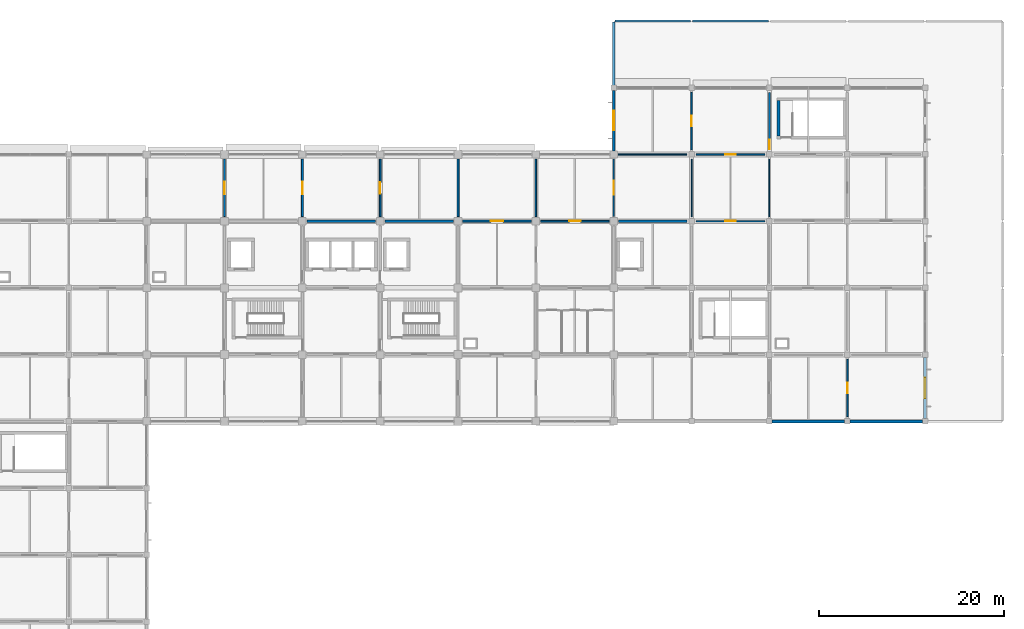
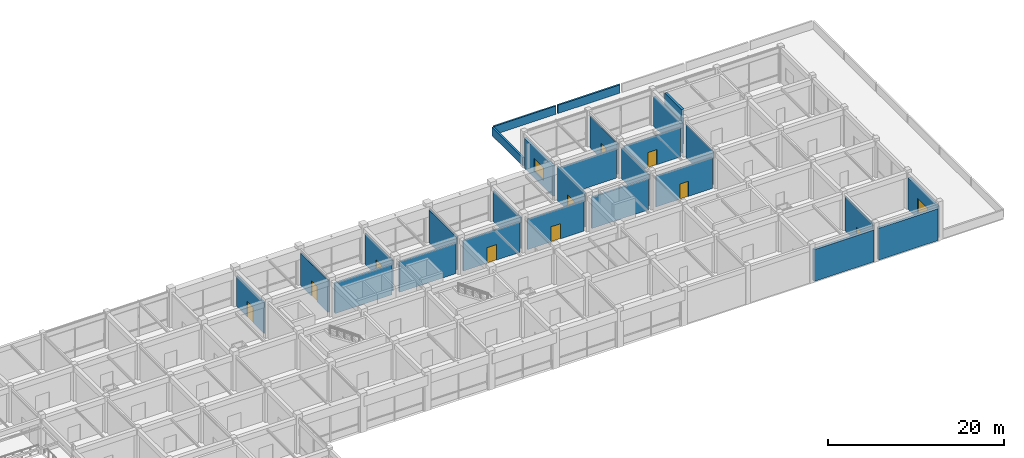
# One storey, part 30 of 38: 27 walls, 11 doors, 2 windows, 13 openings.
"""IFC4 building model written with IfcOpenShell, lengths in metres."""

from ifc_helpers import new_model, si_unit, derived_unit, direction, frame, frame_2d, origin, place, context, subcontext, project, spatial, rectangle, extrude, material, layer, layer_set, type_object, element, fill, save


model = new_model("IFC4")

# Units and contexts
model_context = context("Model", 3, precision=1e-05, world=origin(), true_north=direction((0.0, 1.0)))
body_context = subcontext(model_context, "Body", "Model", "MODEL_VIEW")
ifc_project = project(units=[si_unit("LENGTHUNIT", "METRE"), si_unit("AREAUNIT", "SQUARE_METRE"), si_unit("VOLUMEUNIT", "CUBIC_METRE"), si_unit("PLANEANGLEUNIT", "RADIAN"), si_unit("MASSUNIT", "GRAM", prefix="KILO"), derived_unit("THERMALTRANSMITTANCEUNIT", [(si_unit("MASSUNIT", "GRAM", prefix="KILO"), 1), (si_unit("TIMEUNIT", "SECOND"), -3), (si_unit("THERMODYNAMICTEMPERATUREUNIT", "KELVIN"), -1)])], contexts=[model_context])

# Site, building, storey
site_placement = place(None, origin())
site = spatial("IfcSite", under=ifc_project, at=site_placement, CompositionType="ELEMENT")
building_placement = place(site_placement, origin())
building = spatial("IfcBuilding", under=site, at=building_placement, Name="Veldstrom Oceanarium and Marine Research Institute", CompositionType="ELEMENT")
storey_placement = place(building_placement, frame((0.0, 0.0, 16.800048828125)))
storey = spatial("IfcBuildingStorey", under=building, at=storey_placement, Name="L03", CompositionType="ELEMENT", Elevation=16.800048828125)

# Wall, opening, window
ifc_material_1 = material(Name="Masonry Cavity Wall", Category="masonry")
ifc_layer_1 = layer(ifc_material_1, 0.31005859375)
ifc_layer_set_1 = layer_set([ifc_layer_1], Name="ARC-WAL-EW1")
wall_type_1 = type_object("IfcWallType", Name="ARC-WAL-EW1", PredefinedType="SOLIDWALL", material=ifc_layer_set_1)
wall_1_placement = place(storey_placement, frame((151.199951171875, 43.5, 0.0), z_axis=(0.0, 0.0, 1.0), x_axis=(0.0, 1.0, 0.0)))
wall_1 = element("IfcWall", 1, at=wall_1_placement, inside=storey, type_object=wall_type_1, Name="Exterior Facade Wall EW1 L03-165", PredefinedType="SOLIDWALL", context=body_context, shape_type="SweptSolid", body=[
    extrude(rectangle(XDim=6.60009765625, YDim=0.31005859375, at=frame_2d((3.300048828125, 0.0))), origin(), (0.0, 0.0, 1.0), 4.39501953125),
])
opening_1_placement = place(wall_1_placement, frame((2.175048828125, 0.0, 0.89990234375)))
opening_1 = element("IfcOpeningElement", 2, at=opening_1_placement, cuts=wall_1, Name="Opening W21", PredefinedType="OPENING", context=body_context, shape_type="SweptSolid", body=[
    extrude(rectangle(XDim=2.25, YDim=1.949951171875, at=frame_2d((1.125, 0.97509765625))), frame((0.0, 0.1650390625, 0.0), z_axis=(0.0, -1.0, 0.0), x_axis=(1.0, 0.0, 0.0)), (0.0, 0.0, 1.0), 0.330078125),
])
ifc_material_2 = material(Name="Double Glazed Low-E IGU", Category="glass")
window_type_1 = type_object("IfcWindowType", Name="ARC-WIN-W21", PartitioningType="SINGLE_PANEL", PredefinedType="WINDOW", material=ifc_material_2)
window_1_placement = place(opening_1_placement, origin())
window_1 = element("IfcWindow", 3, at=window_1_placement, inside=storey, type_object=window_type_1, Name="Facade Window W21 L03-0119", OverallHeight=1.949951171875, OverallWidth=2.25, PartitioningType="SINGLE_PANEL", PredefinedType="WINDOW", context=body_context, shape_type="SweptSolid", body=[
    extrude(rectangle(XDim=2.25, YDim=1.949951171875, at=frame_2d((1.125, 0.97509765625))), frame((0.0, 0.030029296875, 0.0), z_axis=(0.0, -1.0, 0.0), x_axis=(1.0, 0.0, 0.0)), (0.0, 0.0, 1.0), 0.06005859375),
])
fill(opening_1, window_1)

ifc_material_3 = material(Name="Masonry Cavity Wall", Category="masonry")
ifc_layer_2 = layer(ifc_material_3, 0.2900390625)
ifc_layer_set_2 = layer_set([ifc_layer_2], Name="ARC-WAL-EW2")
wall_type_2 = type_object("IfcWallType", Name="ARC-WAL-EW2", PredefinedType="SOLIDWALL", material=ifc_layer_set_2)
wall_2_placement = place(storey_placement, frame((117.60009765625, 72.39990234375, 0.0), z_axis=(0.0, 0.0, 1.0), x_axis=(0.0, 1.0, 0.0)))
wall_2 = element("IfcWall", 4, at=wall_2_placement, inside=storey, type_object=wall_type_2, Name="Exterior Facade Wall EW2 L03-161", PredefinedType="SOLIDWALL", context=body_context, shape_type="SweptSolid", body=[
    extrude(rectangle(XDim=6.5, YDim=0.2900390625, at=frame_2d((3.25, 0.0))), origin(), (0.0, 0.0, 1.0), 4.169921875),
])
opening_2_placement = place(wall_2_placement, frame((2.199951171875, 0.0, 0.89990234375)))
opening_2 = element("IfcOpeningElement", 5, at=opening_2_placement, cuts=wall_2, Name="Opening W02", PredefinedType="OPENING", context=body_context, shape_type="SweptSolid", body=[
    extrude(rectangle(XDim=2.10009765625, YDim=1.800048828125, at=frame_2d((1.050048828125, 0.89990234375))), frame((0.0, 0.155029296875, 0.0), z_axis=(0.0, -1.0, 0.0), x_axis=(1.0, 0.0, 0.0)), (0.0, 0.0, 1.0), 0.31005859375),
])
ifc_material_4 = material(Name="Double Glazed Low-E IGU", Category="glass")
window_type_2 = type_object("IfcWindowType", Name="ARC-WIN-W02", PartitioningType="SINGLE_PANEL", PredefinedType="WINDOW", material=ifc_material_4)
window_2_placement = place(opening_2_placement, origin())
window_2 = element("IfcWindow", 6, at=window_2_placement, inside=storey, type_object=window_type_2, Name="Facade Window W02 L03-0118", OverallHeight=1.800048828125, OverallWidth=2.10009765625, PartitioningType="SINGLE_PANEL", PredefinedType="WINDOW", context=body_context, shape_type="SweptSolid", body=[
    extrude(rectangle(XDim=2.10009765625, YDim=1.800048828125, at=frame_2d((1.050048828125, 0.89990234375))), frame((0.0, 0.030029296875, 0.0), z_axis=(0.0, -1.0, 0.0), x_axis=(1.0, 0.0, 0.0)), (0.0, 0.0, 1.0), 0.06005859375),
])
fill(opening_2, window_2)

# Walls
ifc_material_5 = material(Name="Masonry Cavity Wall", Category="masonry")
ifc_layer_3 = layer(ifc_material_5, 0.340087890625)
ifc_layer_set_3 = layer_set([ifc_layer_3], Name="ARC-WAL-EW4")
wall_type_3 = type_object("IfcWallType", Name="ARC-WAL-EW4", PredefinedType="SOLIDWALL", material=ifc_layer_set_3)
wall_3_placement = place(storey_placement, frame((134.699951171875, 43.199951171875, 0.0), z_axis=(0.0, 0.0, 1.0), x_axis=(1.0, 0.0, 0.0)))
element("IfcWall", 7, at=wall_3_placement, inside=storey, type_object=wall_type_3, Name="Exterior Facade Wall EW4 L03-163", PredefinedType="SOLIDWALL", context=body_context, shape_type="SweptSolid", body=[
    extrude(rectangle(XDim=7.800048828125, YDim=0.340087890625, at=frame_2d((3.89990234375, 0.0))), origin(), (0.0, 0.0, 1.0), 4.39501953125),
])
wall_4_placement = place(storey_placement, frame((143.10009765625, 43.199951171875, 0.0), z_axis=(0.0, 0.0, 1.0), x_axis=(1.0, 0.0, 0.0)))
element("IfcWall", 8, at=wall_4_placement, inside=storey, type_object=wall_type_3, Name="Exterior Facade Wall EW4 L03-164", PredefinedType="SOLIDWALL", context=body_context, shape_type="SweptSolid", body=[
    extrude(rectangle(XDim=7.7998046875, YDim=0.340087890625, at=frame_2d((3.89990234375, 0.0))), origin(), (0.0, 0.0, 1.0), 4.39501953125),
])
ifc_material_6 = material(Name="Masonry Cavity Wall", Category="masonry")
ifc_layer_4 = layer(ifc_material_6, 0.219970703125)
ifc_layer_set_4 = layer_set([ifc_layer_4], Name="ARC-WAL-PR1")
wall_type_4 = type_object("IfcWallType", Name="ARC-WAL-PR1", PredefinedType="PARAPET", material=ifc_layer_set_4)
wall_5_placement = place(storey_placement, frame((117.719970703125, 86.39990234375, 0.0), z_axis=(0.0, 0.0, 1.0), x_axis=(1.0, 0.0, 0.0)))
element("IfcWall", 9, at=wall_5_placement, inside=storey, type_object=wall_type_4, Name="Roof Parapet Wall L02-056", PredefinedType="PARAPET", context=body_context, shape_type="SweptSolid", body=[
    extrude(rectangle(XDim=8.159912109375, YDim=0.219970703125, at=frame_2d((4.080078125, 0.0))), origin(), (0.0, 0.0, 1.0), 1.14990234375),
])
wall_6_placement = place(storey_placement, frame((117.60009765625, 79.320068359375, 0.0), z_axis=(0.0, 0.0, 1.0), x_axis=(0.0, 1.0, 0.0)))
element("IfcWall", 10, at=wall_6_placement, inside=storey, type_object=wall_type_4, Name="Roof Parapet Wall L02-057", PredefinedType="PARAPET", context=body_context, shape_type="SweptSolid", body=[
    extrude(rectangle(XDim=6.9599609375, YDim=0.219970703125, at=frame_2d((3.47998046875, 0.0))), origin(), (0.0, 0.0, 1.0), 1.14990234375),
])
wall_7_placement = place(storey_placement, frame((126.1201171875, 86.39990234375, 0.0), z_axis=(0.0, 0.0, 1.0), x_axis=(1.0, 0.0, 0.0)))
element("IfcWall", 11, at=wall_7_placement, inside=storey, type_object=wall_type_4, Name="Roof Parapet Wall L02-058", PredefinedType="PARAPET", context=body_context, shape_type="SweptSolid", body=[
    extrude(rectangle(XDim=8.159912109375, YDim=0.219970703125, at=frame_2d((4.080078125, 0.0))), origin(), (0.0, 0.0, 1.0), 1.14990234375),
])
ifc_material_7 = material(Name="Masonry Fire Compartment Wall", Category="masonry")
ifc_layer_5 = layer(ifc_material_7, 0.22998046875)
ifc_layer_set_5 = layer_set([ifc_layer_5], Name="ARC-WAL-PT1")
wall_type_5 = type_object("IfcWallType", Name="ARC-WAL-PT1", PredefinedType="PARTITIONING", material=ifc_layer_set_5)
wall_8_placement = place(storey_placement, frame((84.5, 64.800048828125, 0.0), z_axis=(0.0, 0.0, 1.0), x_axis=(1.0, 0.0, 0.0)))
element("IfcWall", 12, at=wall_8_placement, inside=storey, type_object=wall_type_5, Name="Interior Partition PT1 L03-1343", PredefinedType="PARTITIONING", context=body_context, shape_type="SweptSolid", body=[
    extrude(rectangle(XDim=7.39990234375, YDim=0.22998046875, at=frame_2d((3.699951171875, 0.0))), origin(), (0.0, 0.0, 1.0), 4.195068359375),
])
wall_9_placement = place(storey_placement, frame((92.89990234375, 64.800048828125, 0.0), z_axis=(0.0, 0.0, 1.0), x_axis=(1.0, 0.0, 0.0)))
element("IfcWall", 13, at=wall_9_placement, inside=storey, type_object=wall_type_5, Name="Interior Partition PT1 L03-1350", PredefinedType="PARTITIONING", context=body_context, shape_type="SweptSolid", body=[
    extrude(rectangle(XDim=7.400146484375, YDim=0.22998046875, at=frame_2d((3.7001953125, 0.0))), origin(), (0.0, 0.0, 1.0), 4.195068359375),
])
wall_10_placement = place(storey_placement, frame((118.10009765625, 64.800048828125, 0.0), z_axis=(0.0, 0.0, 1.0), x_axis=(1.0, 0.0, 0.0)))
element("IfcWall", 14, at=wall_10_placement, inside=storey, type_object=wall_type_5, Name="Interior Partition PT1 L03-1371", PredefinedType="PARTITIONING", context=body_context, shape_type="SweptSolid", body=[
    extrude(rectangle(XDim=7.39990234375, YDim=0.22998046875, at=frame_2d((3.699951171875, 0.0))), origin(), (0.0, 0.0, 1.0), 4.294921875),
])

# Wall, opening, door
wall_11_placement = place(storey_placement, frame((134.39990234375, 72.5, 0.0), z_axis=(0.0, 0.0, 1.0), x_axis=(0.0, 1.0, 0.0)))
wall_11 = element("IfcWall", 15, at=wall_11_placement, inside=storey, type_object=wall_type_5, Name="Interior Partition PT1 L03-1383", PredefinedType="PARTITIONING", context=body_context, shape_type="SweptSolid", body=[
    extrude(rectangle(XDim=6.199951171875, YDim=0.22998046875, at=frame_2d((3.10009765625, 0.0))), origin(), (0.0, 0.0, 1.0), 4.119873046875),
])
opening_3_placement = place(wall_11_placement, frame((0.050048828125, 0.0, 0.0)))
opening_3 = element("IfcOpeningElement", 16, at=opening_3_placement, cuts=wall_11, Name="Opening D-L03-814", PredefinedType="OPENING", context=body_context, shape_type="SweptSolid", body=[
    extrude(rectangle(XDim=1.050048828125, YDim=2.14990234375, at=frame_2d((0.52490234375, 1.074951171875))), frame((0.0, 0.125, 0.0), z_axis=(0.0, -1.0, 0.0), x_axis=(1.0, 0.0, 0.0)), (0.0, 0.0, 1.0), 0.25),
])
ifc_material_8 = material(Name="Painted Steel Fire Door", Category="steel")
door_type_1 = type_object("IfcDoorType", Name="ARC-DOR-SD1", OperationType="SINGLE_SWING_LEFT", PredefinedType="DOOR", material=ifc_material_8)
door_1_placement = place(opening_3_placement, origin())
door_1 = element("IfcDoor", 17, at=door_1_placement, inside=storey, type_object=door_type_1, Name="Interior Door D-L03-814", OperationType="SINGLE_SWING_LEFT", OverallHeight=2.14990234375, OverallWidth=1.050048828125, PredefinedType="DOOR", context=body_context, shape_type="SweptSolid", body=[
    extrude(rectangle(XDim=1.050048828125, YDim=2.14990234375, at=frame_2d((0.52490234375, 1.074951171875))), frame((0.0, 0.02490234375, 0.0), z_axis=(0.0, -1.0, 0.0), x_axis=(1.0, 0.0, 0.0)), (0.0, 0.0, 1.0), 0.050048828125),
])
fill(opening_3, door_1)

ifc_material_9 = material(Name="Masonry Acoustic Lab Partition", Category="masonry")
ifc_layer_6 = layer(ifc_material_9, 0.205078125)
ifc_layer_set_6 = layer_set([ifc_layer_6], Name="ARC-WAL-PT2")
wall_type_6 = type_object("IfcWallType", Name="ARC-WAL-PT2", PredefinedType="PARTITIONING", material=ifc_layer_set_6)
wall_12_placement = place(storey_placement, frame((84.0, 65.300048828125, 0.0), z_axis=(0.0, 0.0, 1.0), x_axis=(0.0, 1.0, 0.0)))
wall_12 = element("IfcWall", 18, at=wall_12_placement, inside=storey, type_object=wall_type_6, Name="Interior Partition PT2 L03-1337", PredefinedType="PARTITIONING", context=body_context, shape_type="SweptSolid", body=[
    extrude(rectangle(XDim=6.199951171875, YDim=0.205078125, at=frame_2d((3.10009765625, 0.0))), origin(), (0.0, 0.0, 1.0), 4.445068359375),
])
opening_4_placement = place(wall_12_placement, frame((2.425048828125, 0.0, 0.0)))
opening_4 = element("IfcOpeningElement", 19, at=opening_4_placement, cuts=wall_12, Name="Opening D-L03-788", PredefinedType="OPENING", context=body_context, shape_type="SweptSolid", body=[
    extrude(rectangle(XDim=1.35009765625, YDim=2.14990234375, at=frame_2d((0.675048828125, 1.074951171875))), frame((0.0, 0.112548828125, 0.0), z_axis=(0.0, -1.0, 0.0), x_axis=(1.0, 0.0, 0.0)), (0.0, 0.0, 1.0), 0.22509765625),
])
ifc_material_10 = material(Name="Cleanroom Airlock Door", Category="steel")
door_type_2 = type_object("IfcDoorType", Name="ARC-DOR-ID15", OperationType="SINGLE_SWING_LEFT", PredefinedType="DOOR", material=ifc_material_10)
door_2_placement = place(opening_4_placement, origin())
door_2 = element("IfcDoor", 20, at=door_2_placement, inside=storey, type_object=door_type_2, Name="Interior Door D-L03-788", OperationType="SINGLE_SWING_RIGHT", OverallHeight=2.14990234375, OverallWidth=1.35009765625, PredefinedType="DOOR", context=body_context, shape_type="SweptSolid", body=[
    extrude(rectangle(XDim=1.35009765625, YDim=2.14990234375, at=frame_2d((0.675048828125, 1.074951171875))), frame((0.0, 0.02490234375, 0.0), z_axis=(0.0, -1.0, 0.0), x_axis=(1.0, 0.0, 0.0)), (0.0, 0.0, 1.0), 0.050048828125),
])
fill(opening_4, door_2)

# Wall
wall_13_placement = place(storey_placement, frame((100.800048828125, 65.300048828125, 0.0), z_axis=(0.0, 0.0, 1.0), x_axis=(0.0, 1.0, 0.0)))
element("IfcWall", 21, at=wall_13_placement, inside=storey, type_object=wall_type_6, Name="Interior Partition PT2 L03-1351", PredefinedType="PARTITIONING", context=body_context, shape_type="SweptSolid", body=[
    extrude(rectangle(XDim=6.199951171875, YDim=0.205078125, at=frame_2d((3.10009765625, 0.0))), origin(), (0.0, 0.0, 1.0), 4.544921875),
])

# Wall, opening, door
wall_14_placement = place(storey_placement, frame((101.300048828125, 64.800048828125, 0.0), z_axis=(0.0, 0.0, 1.0), x_axis=(1.0, 0.0, 0.0)))
wall_14 = element("IfcWall", 22, at=wall_14_placement, inside=storey, type_object=wall_type_6, Name="Interior Partition PT2 L03-1357", PredefinedType="PARTITIONING", context=body_context, shape_type="SweptSolid", body=[
    extrude(rectangle(XDim=7.39990234375, YDim=0.205078125, at=frame_2d((3.699951171875, 0.0))), origin(), (0.0, 0.0, 1.0), 4.195068359375),
])
opening_5_placement = place(wall_14_placement, frame((3.050048828125, 0.0, 0.0)))
opening_5 = element("IfcOpeningElement", 23, at=opening_5_placement, cuts=wall_14, Name="Opening D-L03-801", PredefinedType="OPENING", context=body_context, shape_type="SweptSolid", body=[
    extrude(rectangle(XDim=1.300048828125, YDim=2.14990234375, at=frame_2d((0.64990234375, 1.074951171875))), frame((0.0, 0.112548828125, 0.0), z_axis=(0.0, -1.0, 0.0), x_axis=(1.0, 0.0, 0.0)), (0.0, 0.0, 1.0), 0.22509765625),
])
ifc_material_11 = material(Name="Wet Lab Leaf-and-Half Door", Category="timber")
door_type_3 = type_object("IfcDoorType", Name="ARC-DOR-ID05", OperationType="SINGLE_SWING_LEFT", PredefinedType="DOOR", material=ifc_material_11)
door_3_placement = place(opening_5_placement, frame((1.300048828125, 0.0, 0.0), z_axis=(0.0, 0.0, 1.0), x_axis=(-1.0, 0.0, 0.0)))
door_3 = element("IfcDoor", 24, at=door_3_placement, inside=storey, type_object=door_type_3, Name="Interior Door D-L03-801", OperationType="SINGLE_SWING_LEFT", OverallHeight=2.14990234375, OverallWidth=1.300048828125, PredefinedType="DOOR", context=body_context, shape_type="SweptSolid", body=[
    extrude(rectangle(XDim=1.300048828125, YDim=2.14990234375, at=frame_2d((0.64990234375, 1.074951171875))), frame((0.0, 0.02490234375, 0.0), z_axis=(0.0, -1.0, 0.0), x_axis=(1.0, 0.0, 0.0)), (0.0, 0.0, 1.0), 0.050048828125),
])
fill(opening_5, door_3)

wall_15_placement = place(storey_placement, frame((117.60009765625, 65.300048828125, 0.0), z_axis=(0.0, 0.0, 1.0), x_axis=(0.0, 1.0, 0.0)))
wall_15 = element("IfcWall", 25, at=wall_15_placement, inside=storey, type_object=wall_type_6, Name="Interior Partition PT2 L03-1365", PredefinedType="PARTITIONING", context=body_context, shape_type="SweptSolid", body=[
    extrude(rectangle(XDim=6.199951171875, YDim=0.205078125, at=frame_2d((3.10009765625, 0.0))), origin(), (0.0, 0.0, 1.0), 4.655029296875),
])
opening_6_placement = place(wall_15_placement, frame((2.35009765625, 0.0, 0.0)))
opening_6 = element("IfcOpeningElement", 26, at=opening_6_placement, cuts=wall_15, Name="Opening D-L03-805", PredefinedType="OPENING", context=body_context, shape_type="SweptSolid", body=[
    extrude(rectangle(XDim=1.5, YDim=2.199951171875, at=frame_2d((0.75, 1.10009765625))), frame((0.0, 0.112548828125, 0.0), z_axis=(0.0, -1.0, 0.0), x_axis=(1.0, 0.0, 0.0)), (0.0, 0.0, 1.0), 0.22509765625),
])
ifc_material_12 = material(Name="Laboratory Double Leaf Door", Category="timber")
door_type_4 = type_object("IfcDoorType", Name="ARC-DOR-ID03", OperationType="DOUBLE_DOOR_SINGLE_SWING", PredefinedType="DOOR", material=ifc_material_12)
door_4_placement = place(opening_6_placement, frame((1.5, 0.0, 0.0), z_axis=(0.0, 0.0, 1.0), x_axis=(-1.0, 0.0, 0.0)))
door_4 = element("IfcDoor", 27, at=door_4_placement, inside=storey, type_object=door_type_4, Name="Interior Door D-L03-805", OperationType="DOUBLE_DOOR_SINGLE_SWING", OverallHeight=2.199951171875, OverallWidth=1.5, PredefinedType="DOOR", context=body_context, shape_type="SweptSolid", body=[
    extrude(rectangle(XDim=1.5, YDim=2.199951171875, at=frame_2d((0.75, 1.10009765625))), frame((0.0, 0.02490234375, 0.0), z_axis=(0.0, -1.0, 0.0), x_axis=(1.0, 0.0, 0.0)), (0.0, 0.0, 1.0), 0.050048828125),
])
fill(opening_6, door_4)

ifc_material_13 = material(Name="Drywall Acoustic Partition", Category="gypsum")
ifc_layer_7 = layer(ifc_material_13, 0.175048828125)
ifc_layer_set_7 = layer_set([ifc_layer_7], Name="ARC-WAL-PT3")
wall_type_7 = type_object("IfcWallType", Name="ARC-WAL-PT3", PredefinedType="PARTITIONING", material=ifc_layer_set_7)
wall_16_placement = place(storey_placement, frame((75.60009765625, 65.300048828125, 0.0), z_axis=(0.0, 0.0, 1.0), x_axis=(0.0, 1.0, 0.0)))
wall_16 = element("IfcWall", 28, at=wall_16_placement, inside=storey, type_object=wall_type_7, Name="Interior Partition PT3 L03-1330", PredefinedType="PARTITIONING", context=body_context, shape_type="SweptSolid", body=[
    extrude(rectangle(XDim=6.199951171875, YDim=0.175048828125, at=frame_2d((3.10009765625, 0.0))), origin(), (0.0, 0.0, 1.0), 4.244873046875),
])
opening_7_placement = place(wall_16_placement, frame((2.425048828125, 0.0, 0.0)))
opening_7 = element("IfcOpeningElement", 29, at=opening_7_placement, cuts=wall_16, Name="Opening D-L03-783", PredefinedType="OPENING", context=body_context, shape_type="SweptSolid", body=[
    extrude(rectangle(XDim=1.35009765625, YDim=2.14990234375, at=frame_2d((0.675048828125, 1.074951171875))), frame((0.0, 0.097412109375, 0.0), z_axis=(0.0, -1.0, 0.0), x_axis=(1.0, 0.0, 0.0)), (0.0, 0.0, 1.0), 0.195068359375),
])
door_5_placement = place(opening_7_placement, frame((1.35009765625, 0.0, 0.0), z_axis=(0.0, 0.0, 1.0), x_axis=(-1.0, 0.0, 0.0)))
door_5 = element("IfcDoor", 30, at=door_5_placement, inside=storey, type_object=door_type_2, Name="Interior Door D-L03-783", OperationType="SINGLE_SWING_RIGHT", OverallHeight=2.14990234375, OverallWidth=1.35009765625, PredefinedType="DOOR", context=body_context, shape_type="SweptSolid", body=[
    extrude(rectangle(XDim=1.35009765625, YDim=2.14990234375, at=frame_2d((0.675048828125, 1.074951171875))), frame((0.0, 0.02490234375, 0.0), z_axis=(0.0, -1.0, 0.0), x_axis=(1.0, 0.0, 0.0)), (0.0, 0.0, 1.0), 0.050048828125),
])
fill(opening_7, door_5)

wall_17_placement = place(storey_placement, frame((92.39990234375, 65.300048828125, 0.0), z_axis=(0.0, 0.0, 1.0), x_axis=(0.0, 1.0, 0.0)))
wall_17 = element("IfcWall", 31, at=wall_17_placement, inside=storey, type_object=wall_type_7, Name="Interior Partition PT3 L03-1344", PredefinedType="PARTITIONING", context=body_context, shape_type="SweptSolid", body=[
    extrude(rectangle(XDim=6.199951171875, YDim=0.175048828125, at=frame_2d((3.10009765625, 0.0))), origin(), (0.0, 0.0, 1.0), 4.244873046875),
])
opening_8_placement = place(wall_17_placement, frame((2.47509765625, 0.0, 0.0)))
opening_8 = element("IfcOpeningElement", 32, at=opening_8_placement, cuts=wall_17, Name="Opening D-L03-794", PredefinedType="OPENING", context=body_context, shape_type="SweptSolid", body=[
    extrude(rectangle(XDim=1.25, YDim=2.10009765625, at=frame_2d((0.625, 1.050048828125))), frame((0.0, 0.097412109375, 0.0), z_axis=(0.0, -1.0, 0.0), x_axis=(1.0, 0.0, 0.0)), (0.0, 0.0, 1.0), 0.195068359375),
])
ifc_material_14 = material(Name="Specimen Prep Door", Category="timber")
door_type_5 = type_object("IfcDoorType", Name="ARC-DOR-ID16", OperationType="SINGLE_SWING_RIGHT", PredefinedType="DOOR", material=ifc_material_14)
door_6_placement = place(opening_8_placement, frame((1.25, 0.0, 0.0), z_axis=(0.0, 0.0, 1.0), x_axis=(-1.0, 0.0, 0.0)))
door_6 = element("IfcDoor", 33, at=door_6_placement, inside=storey, type_object=door_type_5, Name="Interior Door D-L03-794", OperationType="SINGLE_SWING_RIGHT", OverallHeight=2.10009765625, OverallWidth=1.25, PredefinedType="DOOR", context=body_context, shape_type="SweptSolid", body=[
    extrude(rectangle(XDim=1.25, YDim=2.10009765625, at=frame_2d((0.625, 1.050048828125))), frame((0.0, 0.02490234375, 0.0), z_axis=(0.0, -1.0, 0.0), x_axis=(1.0, 0.0, 0.0)), (0.0, 0.0, 1.0), 0.050048828125),
])
fill(opening_8, door_6)

# Wall
wall_18_placement = place(storey_placement, frame((109.199951171875, 65.300048828125, 0.0), z_axis=(0.0, 0.0, 1.0), x_axis=(0.0, 1.0, 0.0)))
element("IfcWall", 34, at=wall_18_placement, inside=storey, type_object=wall_type_7, Name="Interior Partition PT3 L03-1358", PredefinedType="PARTITIONING", context=body_context, shape_type="SweptSolid", body=[
    extrude(rectangle(XDim=6.199951171875, YDim=0.175048828125, at=frame_2d((3.10009765625, 0.0))), origin(), (0.0, 0.0, 1.0), 4.244873046875),
])

# Wall, opening, door
wall_19_placement = place(storey_placement, frame((109.699951171875, 64.800048828125, 0.0), z_axis=(0.0, 0.0, 1.0), x_axis=(1.0, 0.0, 0.0)))
wall_19 = element("IfcWall", 35, at=wall_19_placement, inside=storey, type_object=wall_type_7, Name="Interior Partition PT3 L03-1364", PredefinedType="PARTITIONING", context=body_context, shape_type="SweptSolid", body=[
    extrude(rectangle(XDim=7.400146484375, YDim=0.175048828125, at=frame_2d((3.7001953125, 0.0))), origin(), (0.0, 0.0, 1.0), 4.195068359375),
])
opening_9_placement = place(wall_19_placement, frame((3.074951171875, 0.0, 0.0)))
opening_9 = element("IfcOpeningElement", 36, at=opening_9_placement, cuts=wall_19, Name="Opening D-L03-804", PredefinedType="OPENING", context=body_context, shape_type="SweptSolid", body=[
    extrude(rectangle(XDim=1.25, YDim=2.10009765625, at=frame_2d((0.625, 1.050048828125))), frame((0.0, 0.097412109375, 0.0), z_axis=(0.0, -1.0, 0.0), x_axis=(1.0, 0.0, 0.0)), (0.0, 0.0, 1.0), 0.195068359375),
])
door_7_placement = place(opening_9_placement, origin())
door_7 = element("IfcDoor", 37, at=door_7_placement, inside=storey, type_object=door_type_5, Name="Interior Door D-L03-804", OperationType="SINGLE_SWING_LEFT", OverallHeight=2.10009765625, OverallWidth=1.25, PredefinedType="DOOR", context=body_context, shape_type="SweptSolid", body=[
    extrude(rectangle(XDim=1.25, YDim=2.10009765625, at=frame_2d((0.625, 1.050048828125))), frame((0.0, 0.02490234375, 0.0), z_axis=(0.0, -1.0, 0.0), x_axis=(1.0, 0.0, 0.0)), (0.0, 0.0, 1.0), 0.050048828125),
])
fill(opening_9, door_7)

ifc_material_15 = material(Name="Drywall Corridor Partition", Category="gypsum")
ifc_layer_8 = layer(ifc_material_15, 0.155029296875)
ifc_layer_set_8 = layer_set([ifc_layer_8], Name="ARC-WAL-PT4")
wall_type_8 = type_object("IfcWallType", Name="ARC-WAL-PT4", PredefinedType="PARTITIONING", material=ifc_layer_set_8)
wall_20_placement = place(storey_placement, frame((126.0, 72.5, 0.0), z_axis=(0.0, 0.0, 1.0), x_axis=(0.0, 1.0, 0.0)))
wall_20 = element("IfcWall", 38, at=wall_20_placement, inside=storey, type_object=wall_type_8, Name="Interior Partition PT4 L03-1374", PredefinedType="PARTITIONING", context=body_context, shape_type="SweptSolid", body=[
    extrude(rectangle(XDim=6.199951171875, YDim=0.155029296875, at=frame_2d((3.10009765625, 0.0))), origin(), (0.0, 0.0, 1.0), 4.320068359375),
])
opening_10_placement = place(wall_20_placement, frame((2.52490234375, 0.0, 0.0)))
opening_10 = element("IfcOpeningElement", 39, at=opening_10_placement, cuts=wall_20, Name="Opening D-L03-809", PredefinedType="OPENING", context=body_context, shape_type="SweptSolid", body=[
    extrude(rectangle(XDim=1.14990234375, YDim=2.10009765625, at=frame_2d((0.574951171875, 1.050048828125))), frame((0.0, 0.08740234375, 0.0), z_axis=(0.0, -1.0, 0.0), x_axis=(1.0, 0.0, 0.0)), (0.0, 0.0, 1.0), 0.175048828125),
])
ifc_material_16 = material(Name="Fellows Studio Door", Category="timber")
door_type_6 = type_object("IfcDoorType", Name="ARC-DOR-ID17", OperationType="SINGLE_SWING_LEFT", PredefinedType="DOOR", material=ifc_material_16)
door_8_placement = place(opening_10_placement, origin())
door_8 = element("IfcDoor", 40, at=door_8_placement, inside=storey, type_object=door_type_6, Name="Interior Door D-L03-809", OperationType="SINGLE_SWING_RIGHT", OverallHeight=2.10009765625, OverallWidth=1.14990234375, PredefinedType="DOOR", context=body_context, shape_type="SweptSolid", body=[
    extrude(rectangle(XDim=1.14990234375, YDim=2.10009765625, at=frame_2d((0.574951171875, 1.050048828125))), frame((0.0, 0.02490234375, 0.0), z_axis=(0.0, -1.0, 0.0), x_axis=(1.0, 0.0, 0.0)), (0.0, 0.0, 1.0), 0.050048828125),
])
fill(opening_10, door_8)

wall_21_placement = place(storey_placement, frame((126.5, 72.0, 0.0), z_axis=(0.0, 0.0, 1.0), x_axis=(1.0, 0.0, 0.0)))
wall_21 = element("IfcWall", 41, at=wall_21_placement, inside=storey, type_object=wall_type_8, Name="Interior Partition PT4 L03-1382", PredefinedType="PARTITIONING", context=body_context, shape_type="SweptSolid", body=[
    extrude(rectangle(XDim=7.39990234375, YDim=0.155029296875, at=frame_2d((3.699951171875, 0.0))), origin(), (0.0, 0.0, 1.0), 4.070068359375),
])
opening_11_placement = place(wall_21_placement, frame((3.125, 0.0, 0.0)))
opening_11 = element("IfcOpeningElement", 42, at=opening_11_placement, cuts=wall_21, Name="Opening D-L03-813", PredefinedType="OPENING", context=body_context, shape_type="SweptSolid", body=[
    extrude(rectangle(XDim=1.14990234375, YDim=2.10009765625, at=frame_2d((0.574951171875, 1.050048828125))), frame((0.0, 0.08740234375, 0.0), z_axis=(0.0, -1.0, 0.0), x_axis=(1.0, 0.0, 0.0)), (0.0, 0.0, 1.0), 0.175048828125),
])
door_9_placement = place(opening_11_placement, frame((1.14990234375, 0.0, 0.0), z_axis=(0.0, 0.0, 1.0), x_axis=(-1.0, 0.0, 0.0)))
door_9 = element("IfcDoor", 43, at=door_9_placement, inside=storey, type_object=door_type_6, Name="Interior Door D-L03-813", OperationType="SINGLE_SWING_LEFT", OverallHeight=2.10009765625, OverallWidth=1.14990234375, PredefinedType="DOOR", context=body_context, shape_type="SweptSolid", body=[
    extrude(rectangle(XDim=1.14990234375, YDim=2.10009765625, at=frame_2d((0.574951171875, 1.050048828125))), frame((0.0, 0.02490234375, 0.0), z_axis=(0.0, -1.0, 0.0), x_axis=(1.0, 0.0, 0.0)), (0.0, 0.0, 1.0), 0.050048828125),
])
fill(opening_11, door_9)

wall_22_placement = place(storey_placement, frame((142.800048828125, 43.699951171875, 0.0), z_axis=(0.0, 0.0, 1.0), x_axis=(0.0, 1.0, 0.0)))
wall_22 = element("IfcWall", 44, at=wall_22_placement, inside=storey, type_object=wall_type_8, Name="Interior Partition PT4 L03-1384", PredefinedType="PARTITIONING", context=body_context, shape_type="SweptSolid", body=[
    extrude(rectangle(XDim=6.199951171875, YDim=0.155029296875, at=frame_2d((3.10009765625, 0.0))), origin(), (0.0, 0.0, 1.0), 4.7548828125),
])
opening_12_placement = place(wall_22_placement, frame((2.52490234375, 0.0, 0.0)))
opening_12 = element("IfcOpeningElement", 45, at=opening_12_placement, cuts=wall_22, Name="Opening D-L03-815", PredefinedType="OPENING", context=body_context, shape_type="SweptSolid", body=[
    extrude(rectangle(XDim=1.14990234375, YDim=2.10009765625, at=frame_2d((0.574951171875, 1.050048828125))), frame((0.0, 0.08740234375, 0.0), z_axis=(0.0, -1.0, 0.0), x_axis=(1.0, 0.0, 0.0)), (0.0, 0.0, 1.0), 0.175048828125),
])
door_10_placement = place(opening_12_placement, origin())
door_10 = element("IfcDoor", 46, at=door_10_placement, inside=storey, type_object=door_type_6, Name="Interior Door D-L03-815", OperationType="SINGLE_SWING_RIGHT", OverallHeight=2.10009765625, OverallWidth=1.14990234375, PredefinedType="DOOR", context=body_context, shape_type="SweptSolid", body=[
    extrude(rectangle(XDim=1.14990234375, YDim=2.10009765625, at=frame_2d((0.574951171875, 1.050048828125))), frame((0.0, 0.02490234375, 0.0), z_axis=(0.0, -1.0, 0.0), x_axis=(1.0, 0.0, 0.0)), (0.0, 0.0, 1.0), 0.050048828125),
])
fill(opening_12, door_10)

ifc_material_17 = material(Name="Moisture-Resistant Wet-Area Partition", Category="masonry")
ifc_layer_9 = layer(ifc_material_17, 0.139892578125)
ifc_layer_set_9 = layer_set([ifc_layer_9], Name="ARC-WAL-PT5")
wall_type_9 = type_object("IfcWallType", Name="ARC-WAL-PT5", PredefinedType="PARTITIONING", material=ifc_layer_set_9)
wall_23_placement = place(storey_placement, frame((126.5, 64.800048828125, 0.0), z_axis=(0.0, 0.0, 1.0), x_axis=(1.0, 0.0, 0.0)))
wall_23 = element("IfcWall", 47, at=wall_23_placement, inside=storey, type_object=wall_type_9, Name="Interior Partition PT5 L03-1380", PredefinedType="PARTITIONING", context=body_context, shape_type="SweptSolid", body=[
    extrude(rectangle(XDim=7.39990234375, YDim=0.139892578125, at=frame_2d((3.699951171875, 0.0))), origin(), (0.0, 0.0, 1.0), 4.294921875),
])
opening_13_placement = place(wall_23_placement, frame((3.14990234375, 0.0, 0.0)))
opening_13 = element("IfcOpeningElement", 48, at=opening_13_placement, cuts=wall_23, Name="Opening D-L03-812", PredefinedType="OPENING", context=body_context, shape_type="SweptSolid", body=[
    extrude(rectangle(XDim=1.10009765625, YDim=2.10009765625, at=frame_2d((0.550048828125, 1.050048828125))), frame((0.0, 0.079833984375, 0.0), z_axis=(0.0, -1.0, 0.0), x_axis=(1.0, 0.0, 0.0)), (0.0, 0.0, 1.0), 0.159912109375),
])
ifc_material_18 = material(Name="Research Office Door", Category="timber")
door_type_7 = type_object("IfcDoorType", Name="ARC-DOR-ID07", OperationType="SINGLE_SWING_LEFT", PredefinedType="DOOR", material=ifc_material_18)
door_11_placement = place(opening_13_placement, origin())
door_11 = element("IfcDoor", 49, at=door_11_placement, inside=storey, type_object=door_type_7, Name="Interior Door D-L03-812", OperationType="SINGLE_SWING_LEFT", OverallHeight=2.10009765625, OverallWidth=1.10009765625, PredefinedType="DOOR", context=body_context, shape_type="SweptSolid", body=[
    extrude(rectangle(XDim=1.10009765625, YDim=2.10009765625, at=frame_2d((0.550048828125, 1.050048828125))), frame((0.0, 0.02490234375, 0.0), z_axis=(0.0, -1.0, 0.0), x_axis=(1.0, 0.0, 0.0)), (0.0, 0.0, 1.0), 0.050048828125),
])
fill(opening_13, door_11)

# Walls
ifc_material_19 = material(Name="Lightweight Studio Partition", Category="gypsum")
ifc_layer_10 = layer(ifc_material_19, 0.1201171875)
ifc_layer_set_10 = layer_set([ifc_layer_10], Name="ARC-WAL-PT6")
wall_type_10 = type_object("IfcWallType", Name="ARC-WAL-PT6", PredefinedType="PARTITIONING", material=ifc_layer_set_10)
wall_24_placement = place(storey_placement, frame((126.0, 65.300048828125, 0.0), z_axis=(0.0, 0.0, 1.0), x_axis=(0.0, 1.0, 0.0)))
element("IfcWall", 50, at=wall_24_placement, inside=storey, type_object=wall_type_10, Name="Interior Partition PT6 L03-1372", PredefinedType="PARTITIONING", context=body_context, shape_type="SweptSolid", body=[
    extrude(rectangle(XDim=6.199951171875, YDim=0.1201171875, at=frame_2d((3.10009765625, 0.0))), origin(), (0.0, 0.0, 1.0), 4.344970703125),
])
wall_25_placement = place(storey_placement, frame((118.10009765625, 72.0, 0.0), z_axis=(0.0, 0.0, 1.0), x_axis=(1.0, 0.0, 0.0)))
element("IfcWall", 51, at=wall_25_placement, inside=storey, type_object=wall_type_10, Name="Interior Partition PT6 L03-1373", PredefinedType="PARTITIONING", context=body_context, shape_type="SweptSolid", body=[
    extrude(rectangle(XDim=7.39990234375, YDim=0.1201171875, at=frame_2d((3.699951171875, 0.0))), origin(), (0.0, 0.0, 1.0), 4.070068359375),
])
wall_26_placement = place(storey_placement, frame((134.39990234375, 65.300048828125, 0.0), z_axis=(0.0, 0.0, 1.0), x_axis=(0.0, 1.0, 0.0)))
element("IfcWall", 52, at=wall_26_placement, inside=storey, type_object=wall_type_10, Name="Interior Partition PT6 L03-1381", PredefinedType="PARTITIONING", context=body_context, shape_type="SweptSolid", body=[
    extrude(rectangle(XDim=6.199951171875, YDim=0.1201171875, at=frame_2d((3.10009765625, 0.0))), origin(), (0.0, 0.0, 1.0), 4.544921875),
])
ifc_material_20 = material(Name="Concrete C40/50", Category="concrete")
ifc_layer_11 = layer(ifc_material_20, 0.320068359375)
ifc_layer_set_11 = layer_set([ifc_layer_11], Name="STR-WAL-WC3")
wall_type_11 = type_object("IfcWallType", Name="STR-WAL-WC3", PredefinedType="SHEAR", material=ifc_layer_set_11)
wall_27_placement = place(storey_placement, frame((135.360107421875, 74.0, 0.0), z_axis=(0.0, 0.0, 1.0), x_axis=(0.0, 1.0, 0.0)))
element("IfcWall", 53, at=wall_27_placement, inside=storey, type_object=wall_type_11, Name="Stair Core Shear Wall SC6-L03-W", PredefinedType="SHEAR", context=body_context, shape_type="SweptSolid", body=[
    extrude(rectangle(XDim=3.800048828125, YDim=0.320068359375, at=frame_2d((1.89990234375, 0.0))), origin(), (0.0, 0.0, 1.0), 4.824951171875),
])

save(model, "model.ifc")
